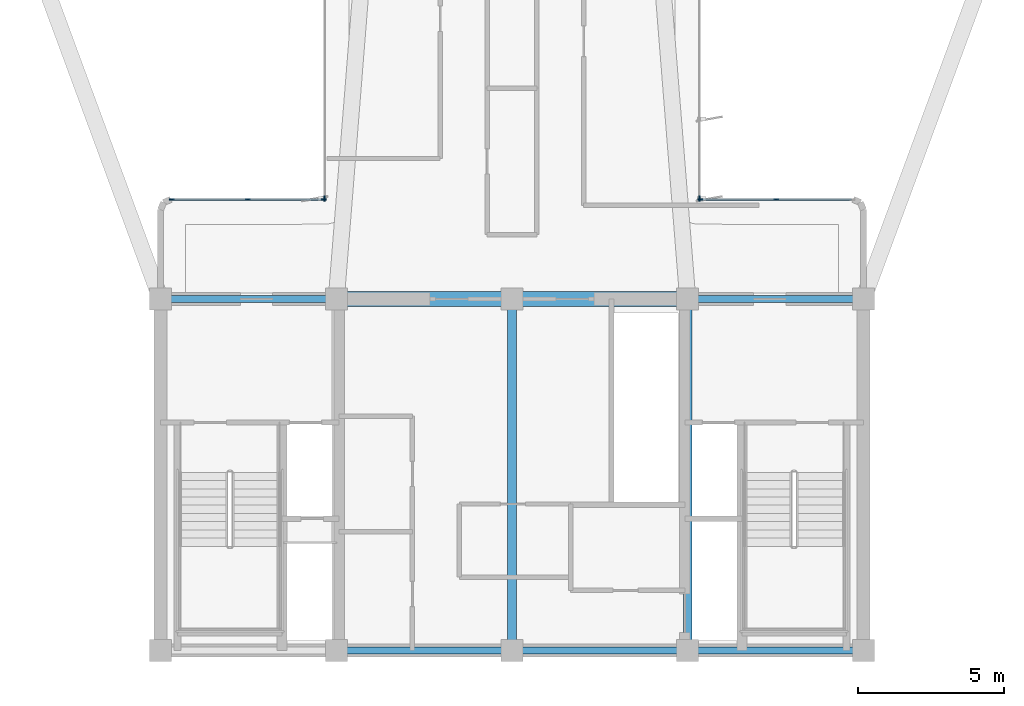
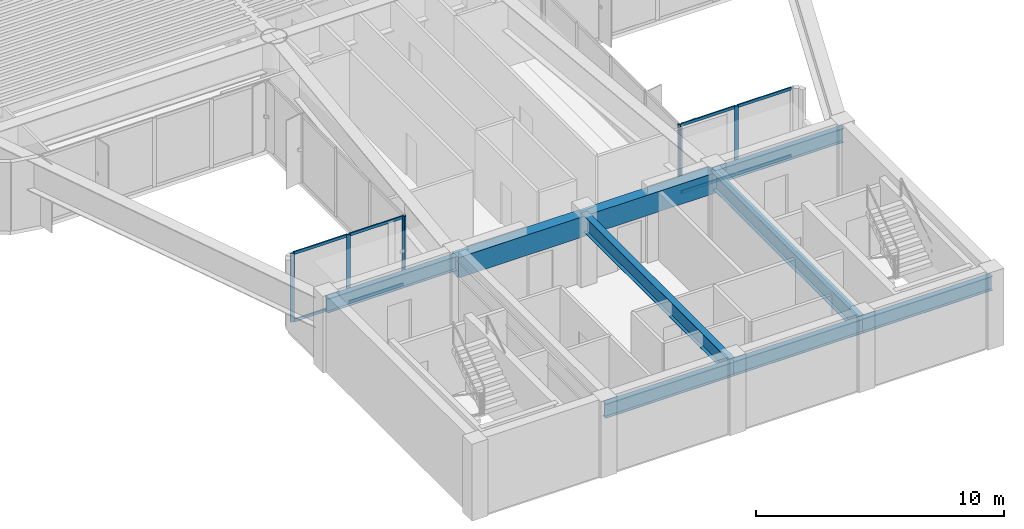
# One storey, part 2 of 13: 15 members, 8 beams, 4 elements without a shape of their own.
"""IFC4 building model written with IfcOpenShell, lengths in metres."""

from ifc_helpers import new_model, si_unit, direction, frame, origin, origin_2d, place, context, subcontext, project, spatial, rectangle, i_section, extrude, source, transform, mapped, material, layer, layer_set, material_profile, profile_set, type_object, element, aggregate, save


model = new_model("IFC4")

# Units and contexts
model_context = context("Model", 3, precision=1e-05, world=origin(), true_north=direction((0.0, 1.0)))
body_context = subcontext(model_context, "Body", "Model", "MODEL_VIEW")
ifc_project = project(units=[si_unit("LENGTHUNIT", "METRE"), si_unit("AREAUNIT", "SQUARE_METRE"), si_unit("VOLUMEUNIT", "CUBIC_METRE"), si_unit("PLANEANGLEUNIT", "RADIAN"), si_unit("MASSUNIT", "GRAM", prefix="KILO")], contexts=[model_context])

# Site, building, storey
site_placement = place(None, origin())
site = spatial("IfcSite", under=ifc_project, at=site_placement, CompositionType="ELEMENT")
building_placement = place(site_placement, origin())
building = spatial("IfcBuilding", under=site, at=building_placement, Name="Brelvock Crest Care Tower", CompositionType="ELEMENT")
storey_placement = place(building_placement, frame((0.0, 0.0, 209.340087890625)))
storey = spatial("IfcBuildingStorey", under=building, at=storey_placement, Name="L53", CompositionType="ELEMENT", Elevation=209.340087890625)

# Beams
ifc_material_1 = material(Name="Steel Grade 350", Category="steel")
ifc_material_profile_1 = material_profile(ifc_material_1, i_section(OverallWidth=0.25, OverallDepth=0.699951171875, WebThickness=0.011962890625, FlangeThickness=0.02001953125, at=origin_2d()), Name="700WB150")
ifc_profile_set_1 = profile_set([ifc_material_profile_1], Name="Steel Grade 350")
beam_type_1 = type_object("IfcBeamType", Name="BM-G4", PredefinedType="BEAM", material=ifc_profile_set_1)
shared_shape_1 = source(origin(), body_context, "Body", "SweptSolid", [
    extrude(i_section(OverallWidth=0.25, OverallDepth=0.699951171875, WebThickness=0.011962890625, FlangeThickness=0.02001953125, at=origin_2d()), origin(), (0.0, 0.0, 1.0), 6.0),
])
for number, where, z_axis, x_axis, name in (
    (1, (24.0, 18.0, 3.02197265625), (1.0, 0.0, 0.0), (0.0, 1.0, 0.0), "BM-COREN-L53-1"),
    (2, (30.0, 6.0, 3.02197265625), (1.0, 0.0, 0.0), (0.0, 1.0, 0.0), "BM-CORES-L53-2"),
    (3, (36.0, 6.0, 3.02197265625), (1.0, 0.0, 0.0), (0.0, 1.0, 0.0), "BM-CORES-L53-3"),
    (4, (42.0, 6.0, 3.02197265625), (1.0, 0.0, 0.0), (0.0, 1.0, 0.0), "BM-CORES-L53-4"),
    (5, (42.0, 18.0, 3.02197265625), (1.0, 0.0, 0.0), (0.0, 1.0, 0.0), "BM-COREN-L53-4"),
):
    element("IfcBeam", number, at=place(storey_placement, frame(where, z_axis=z_axis, x_axis=x_axis)), inside=storey, type_object=beam_type_1, Name=name, PredefinedType="BEAM", context=body_context, shape_type="MappedRepresentation", body=[
        mapped(shared_shape_1, transform((0.0, 0.0, 0.0), x_axis=(1.0, 0.0, 0.0), y_axis=(0.0, 1.0, 0.0), z_axis=(0.0, 0.0, 1.0), scale=1.0)),
    ])
ifc_material_profile_2 = material_profile(ifc_material_1, i_section(OverallWidth=0.300048828125, OverallDepth=0.800048828125, WebThickness=0.013916015625, FlangeThickness=0.02197265625, at=origin_2d()), Name="800WB192")
ifc_profile_set_2 = profile_set([ifc_material_profile_2], Name="Steel Grade 350")
beam_type_2 = type_object("IfcBeamType", Name="BM-G5", PredefinedType="BEAM", material=ifc_profile_set_2)
shared_shape_2 = source(origin(), body_context, "Body", "SweptSolid", [
    extrude(i_section(OverallWidth=0.300048828125, OverallDepth=0.800048828125, WebThickness=0.013916015625, FlangeThickness=0.02197265625, at=origin_2d()), origin(), (0.0, 0.0, 1.0), 12.0),
])
for number, where, z_axis, x_axis, name in (
    (6, (36.0, 6.0, 2.971923828125), (0.0, 1.0, 0.0), (-1.0, 0.0, 0.0), "BM-COREX-L53-3"),
    (7, (42.0, 6.0, 2.971923828125), (0.0, 1.0, 0.0), (-1.0, 0.0, 0.0), "BM-COREX-L53-4"),
):
    element("IfcBeam", number, at=place(storey_placement, frame(where, z_axis=z_axis, x_axis=x_axis)), inside=storey, type_object=beam_type_2, Name=name, PredefinedType="BEAM", context=body_context, shape_type="MappedRepresentation", body=[
        mapped(shared_shape_2, transform((0.0, 0.0, 0.0), x_axis=(1.0, 0.0, 0.0), y_axis=(0.0, 1.0, 0.0), z_axis=(0.0, 0.0, 1.0), scale=1.0)),
    ])
ifc_material_2 = material(Name="Concrete S65 (65 MPa)", Category="concrete")
ifc_material_profile_3 = material_profile(ifc_material_2, rectangle(XDim=0.5, YDim=1.0, at=origin_2d()), Name="RC500x1000")
ifc_profile_set_3 = profile_set([ifc_material_profile_3], Name="Concrete S65 (65 MPa)")
beam_type_3 = type_object("IfcBeamType", Name="BM-LN2", PredefinedType="LINTEL", material=ifc_profile_set_3)
shared_shape_3 = source(origin(), body_context, "Body", "SweptSolid", [
    extrude(rectangle(XDim=0.5, YDim=1.0, at=origin_2d()), origin(), (0.0, 0.0, 1.0), 12.0),
])
beam_placement = place(storey_placement, frame((30.0, 18.0, 2.871826171875), z_axis=(1.0, 0.0, 0.0), x_axis=(0.0, 1.0, 0.0)))
element("IfcBeam", 8, at=beam_placement, inside=storey, type_object=beam_type_3, Name="L53 Core Coupling Lintel Beam", PredefinedType="LINTEL", context=body_context, shape_type="MappedRepresentation", body=[
    mapped(shared_shape_3, transform((0.0, 0.0, 0.0), x_axis=(1.0, 0.0, 0.0), y_axis=(0.0, 1.0, 0.0), z_axis=(0.0, 0.0, 1.0), scale=1.0)),
])

# Curtain wall, members
ifc_material_3 = material(Name="Dark Glass Double Glazed Low-E", Category="glass")
ifc_layer = layer(ifc_material_3, 0.22509765625, Name="CWS-4")
ifc_layer_set = layer_set([ifc_layer], Name="Dark Glass Double Glazed Low-E")
curtain_wall_type = type_object("IfcCurtainWallType", Name="CWS-4", PredefinedType="NOTDEFINED", material=ifc_layer_set)
curtain_wall_1_placement = place(storey_placement, origin())
curtain_wall_1 = element("IfcCurtainWall", 9, at=curtain_wall_1_placement, inside=storey, type_object=curtain_wall_type, Name="L53 Curtain Wall E10", PredefinedType="NOTDEFINED")
ifc_material_4 = material(Name="Aluminium 6063-T6", Category="aluminium")
ifc_material_profile_4 = material_profile(ifc_material_4, rectangle(XDim=0.06005859375, YDim=0.139892578125, at=origin_2d()), Name="ALU60x140")
ifc_profile_set_4 = profile_set([ifc_material_profile_4], Name="Aluminium 6063-T6")
member_type_1 = type_object("IfcMemberType", Name="CWT-2", PredefinedType="USERDEFINED", material=ifc_profile_set_4)
shared_shape_4 = source(origin(), body_context, "Body", "SweptSolid", [
    extrude(rectangle(XDim=0.06005859375, YDim=0.139892578125, at=origin_2d()), origin(), (0.0, 0.0, 1.0), 2.53515625),
])
member_1_placement = place(storey_placement, frame((24.409912109375, 21.39990234375, 0.030029296875), z_axis=(1.0, 0.0, 0.0), x_axis=(0.0, 1.0, 0.0)))
member_1 = element("IfcMember", 10, at=member_1_placement, type_object=member_type_1, Name="CW-4 transom 1.1", ObjectType="TRANSOM", PredefinedType="USERDEFINED", context=body_context, shape_type="MappedRepresentation", body=[
    mapped(shared_shape_4, transform((0.0, 0.0, 0.0), x_axis=(1.0, 0.0, 0.0), y_axis=(0.0, 1.0, 0.0), z_axis=(0.0, 0.0, 1.0), scale=1.0)),
])
member_2_placement = place(storey_placement, frame((24.409912109375, 21.39990234375, 3.341796875), z_axis=(1.0, 0.0, 0.0), x_axis=(0.0, 1.0, 0.0)))
member_2 = element("IfcMember", 11, at=member_2_placement, type_object=member_type_1, Name="CW-4 transom 1.2", ObjectType="TRANSOM", PredefinedType="USERDEFINED", context=body_context, shape_type="MappedRepresentation", body=[
    mapped(shared_shape_4, transform((0.0, 0.0, 0.0), x_axis=(1.0, 0.0, 0.0), y_axis=(0.0, 1.0, 0.0), z_axis=(0.0, 0.0, 1.0), scale=1.0)),
])
member_3_placement = place(storey_placement, frame((27.0048828125, 21.39990234375, 0.030029296875), z_axis=(1.0, 0.0, 0.0), x_axis=(0.0, 1.0, 0.0)))
member_3 = element("IfcMember", 12, at=member_3_placement, type_object=member_type_1, Name="CW-4 transom 2.1", ObjectType="TRANSOM", PredefinedType="USERDEFINED", context=body_context, shape_type="MappedRepresentation", body=[
    mapped(shared_shape_4, transform((0.0, 0.0, 0.0), x_axis=(1.0, 0.0, 0.0), y_axis=(0.0, 1.0, 0.0), z_axis=(0.0, 0.0, 1.0), scale=1.0)),
])
member_4_placement = place(storey_placement, frame((27.0048828125, 21.39990234375, 3.341796875), z_axis=(1.0, 0.0, 0.0), x_axis=(0.0, 1.0, 0.0)))
member_4 = element("IfcMember", 13, at=member_4_placement, type_object=member_type_1, Name="CW-4 transom 2.2", ObjectType="TRANSOM", PredefinedType="USERDEFINED", context=body_context, shape_type="MappedRepresentation", body=[
    mapped(shared_shape_4, transform((0.0, 0.0, 0.0), x_axis=(1.0, 0.0, 0.0), y_axis=(0.0, 1.0, 0.0), z_axis=(0.0, 0.0, 1.0), scale=1.0)),
])

curtain_wall_2_placement = place(storey_placement, origin())
curtain_wall_2 = element("IfcCurtainWall", 14, at=curtain_wall_2_placement, inside=storey, type_object=curtain_wall_type, Name="L53 Curtain Wall E46", PredefinedType="NOTDEFINED")
member_5_placement = place(storey_placement, frame((42.4599609375, 21.39990234375, 0.030029296875), z_axis=(1.0, 0.0, 0.0), x_axis=(0.0, 1.0, 0.0)))
member_5 = element("IfcMember", 15, at=member_5_placement, type_object=member_type_1, Name="CW-4 transom 1.1", ObjectType="TRANSOM", PredefinedType="USERDEFINED", context=body_context, shape_type="MappedRepresentation", body=[
    mapped(shared_shape_4, transform((0.0, 0.0, 0.0), x_axis=(1.0, 0.0, 0.0), y_axis=(0.0, 1.0, 0.0), z_axis=(0.0, 0.0, 1.0), scale=1.0)),
])
member_6_placement = place(storey_placement, frame((42.4599609375, 21.39990234375, 3.341796875), z_axis=(1.0, 0.0, 0.0), x_axis=(0.0, 1.0, 0.0)))
member_6 = element("IfcMember", 16, at=member_6_placement, type_object=member_type_1, Name="CW-4 transom 1.2", ObjectType="TRANSOM", PredefinedType="USERDEFINED", context=body_context, shape_type="MappedRepresentation", body=[
    mapped(shared_shape_4, transform((0.0, 0.0, 0.0), x_axis=(1.0, 0.0, 0.0), y_axis=(0.0, 1.0, 0.0), z_axis=(0.0, 0.0, 1.0), scale=1.0)),
])
member_7_placement = place(storey_placement, frame((45.054931640625, 21.39990234375, 0.030029296875), z_axis=(1.0, 0.0, 0.0), x_axis=(0.0, 1.0, 0.0)))
member_7 = element("IfcMember", 17, at=member_7_placement, type_object=member_type_1, Name="CW-4 transom 2.1", ObjectType="TRANSOM", PredefinedType="USERDEFINED", context=body_context, shape_type="MappedRepresentation", body=[
    mapped(shared_shape_4, transform((0.0, 0.0, 0.0), x_axis=(1.0, 0.0, 0.0), y_axis=(0.0, 1.0, 0.0), z_axis=(0.0, 0.0, 1.0), scale=1.0)),
])
member_8_placement = place(storey_placement, frame((45.054931640625, 21.39990234375, 3.341796875), z_axis=(1.0, 0.0, 0.0), x_axis=(0.0, 1.0, 0.0)))
member_8 = element("IfcMember", 18, at=member_8_placement, type_object=member_type_1, Name="CW-4 transom 2.2", ObjectType="TRANSOM", PredefinedType="USERDEFINED", context=body_context, shape_type="MappedRepresentation", body=[
    mapped(shared_shape_4, transform((0.0, 0.0, 0.0), x_axis=(1.0, 0.0, 0.0), y_axis=(0.0, 1.0, 0.0), z_axis=(0.0, 0.0, 1.0), scale=1.0)),
])

# Member
ifc_material_profile_5 = material_profile(ifc_material_4, rectangle(XDim=0.06005859375, YDim=0.179931640625, at=origin_2d()), Name="ALU60x180")
ifc_profile_set_5 = profile_set([ifc_material_profile_5], Name="Aluminium 6063-T6")
member_type_2 = type_object("IfcMemberType", Name="CWM-2", PredefinedType="MULLION", material=ifc_profile_set_5)
shared_shape_5 = source(origin(), body_context, "Body", "SweptSolid", [
    extrude(rectangle(XDim=0.06005859375, YDim=0.179931640625, at=origin_2d()), origin(), (0.0, 0.0, 1.0), 3.371826171875),
])
member_9_placement = place(storey_placement, frame((24.3798828125, 21.39990234375, 0.0), z_axis=(0.0, 0.0, 1.0), x_axis=(0.0, 1.0, 0.0)))
member_9 = element("IfcMember", 19, at=member_9_placement, type_object=member_type_2, Name="CW-4 mullion 1", PredefinedType="MULLION", context=body_context, shape_type="MappedRepresentation", body=[
    mapped(shared_shape_5, transform((0.0, 0.0, 0.0), x_axis=(1.0, 0.0, 0.0), y_axis=(0.0, 1.0, 0.0), z_axis=(0.0, 0.0, 1.0), scale=1.0)),
])

member_10_placement = place(storey_placement, frame((26.97509765625, 21.39990234375, 0.0), z_axis=(0.0, 0.0, 1.0), x_axis=(0.0, 1.0, 0.0)))
member_10 = element("IfcMember", 20, at=member_10_placement, type_object=member_type_2, Name="CW-4 mullion 2", PredefinedType="MULLION", context=body_context, shape_type="MappedRepresentation", body=[
    mapped(shared_shape_5, transform((0.0, 0.0, 0.0), x_axis=(1.0, 0.0, 0.0), y_axis=(0.0, 1.0, 0.0), z_axis=(0.0, 0.0, 1.0), scale=1.0)),
])

member_11_placement = place(storey_placement, frame((29.570068359375, 21.39990234375, 0.0), z_axis=(0.0, 0.0, 1.0), x_axis=(0.0, 1.0, 0.0)))
member_11 = element("IfcMember", 21, at=member_11_placement, type_object=member_type_2, Name="CW-4 mullion 3", PredefinedType="MULLION", context=body_context, shape_type="MappedRepresentation", body=[
    mapped(shared_shape_5, transform((0.0, 0.0, 0.0), x_axis=(1.0, 0.0, 0.0), y_axis=(0.0, 1.0, 0.0), z_axis=(0.0, 0.0, 1.0), scale=1.0)),
])

aggregate(curtain_wall_1, [member_9, member_10, member_11, member_1, member_2, member_3, member_4])

# Curtain wall, member
curtain_wall_3_placement = place(storey_placement, origin())
curtain_wall_3 = element("IfcCurtainWall", 22, at=curtain_wall_3_placement, inside=storey, type_object=curtain_wall_type, Name="L53 Curtain Wall E11", PredefinedType="NOTDEFINED")
member_12_placement = place(storey_placement, frame((29.60009765625, 21.429931640625, 0.0), z_axis=(0.0, 0.0, 1.0), x_axis=(-1.0, 0.0, 0.0)))
member_12 = element("IfcMember", 23, at=member_12_placement, type_object=member_type_2, Name="CW-4 mullion 1", PredefinedType="MULLION", context=body_context, shape_type="MappedRepresentation", body=[
    mapped(shared_shape_5, transform((0.0, 0.0, 0.0), x_axis=(1.0, 0.0, 0.0), y_axis=(0.0, 1.0, 0.0), z_axis=(0.0, 0.0, 1.0), scale=1.0)),
])
aggregate(curtain_wall_3, [member_12])

curtain_wall_4_placement = place(storey_placement, origin())
curtain_wall_4 = element("IfcCurtainWall", 24, at=curtain_wall_4_placement, inside=storey, type_object=curtain_wall_type, Name="L53 Curtain Wall E45", PredefinedType="NOTDEFINED")
member_13_placement = place(storey_placement, frame((42.39990234375, 21.429931640625, 0.0), z_axis=(0.0, 0.0, 1.0), x_axis=(1.0, 0.0, 0.0)))
member_13 = element("IfcMember", 25, at=member_13_placement, type_object=member_type_2, Name="CW-4 mullion 5", PredefinedType="MULLION", context=body_context, shape_type="MappedRepresentation", body=[
    mapped(shared_shape_5, transform((0.0, 0.0, 0.0), x_axis=(1.0, 0.0, 0.0), y_axis=(0.0, 1.0, 0.0), z_axis=(0.0, 0.0, 1.0), scale=1.0)),
])
aggregate(curtain_wall_4, [member_13])

# Member
member_14_placement = place(storey_placement, frame((42.429931640625, 21.39990234375, 0.0), z_axis=(0.0, 0.0, 1.0), x_axis=(0.0, 1.0, 0.0)))
member_14 = element("IfcMember", 26, at=member_14_placement, type_object=member_type_2, Name="CW-4 mullion 1", PredefinedType="MULLION", context=body_context, shape_type="MappedRepresentation", body=[
    mapped(shared_shape_5, transform((0.0, 0.0, 0.0), x_axis=(1.0, 0.0, 0.0), y_axis=(0.0, 1.0, 0.0), z_axis=(0.0, 0.0, 1.0), scale=1.0)),
])

member_15_placement = place(storey_placement, frame((45.02490234375, 21.39990234375, 0.0), z_axis=(0.0, 0.0, 1.0), x_axis=(0.0, 1.0, 0.0)))
member_15 = element("IfcMember", 27, at=member_15_placement, type_object=member_type_2, Name="CW-4 mullion 2", PredefinedType="MULLION", context=body_context, shape_type="MappedRepresentation", body=[
    mapped(shared_shape_5, transform((0.0, 0.0, 0.0), x_axis=(1.0, 0.0, 0.0), y_axis=(0.0, 1.0, 0.0), z_axis=(0.0, 0.0, 1.0), scale=1.0)),
])

aggregate(curtain_wall_2, [member_14, member_15, member_5, member_6, member_7, member_8])

save(model, "model.ifc")
